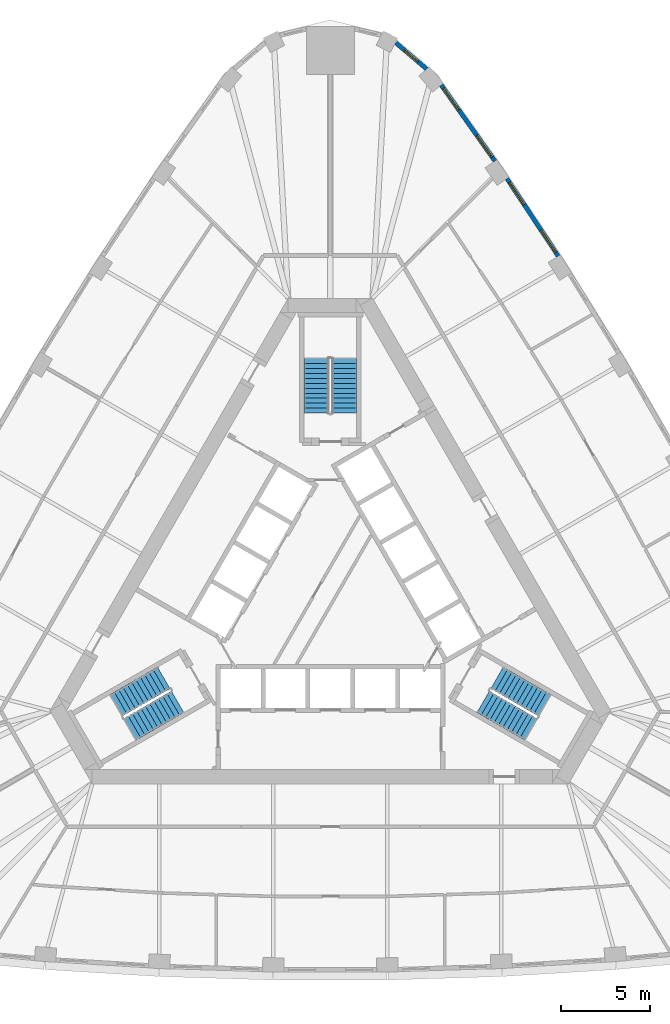
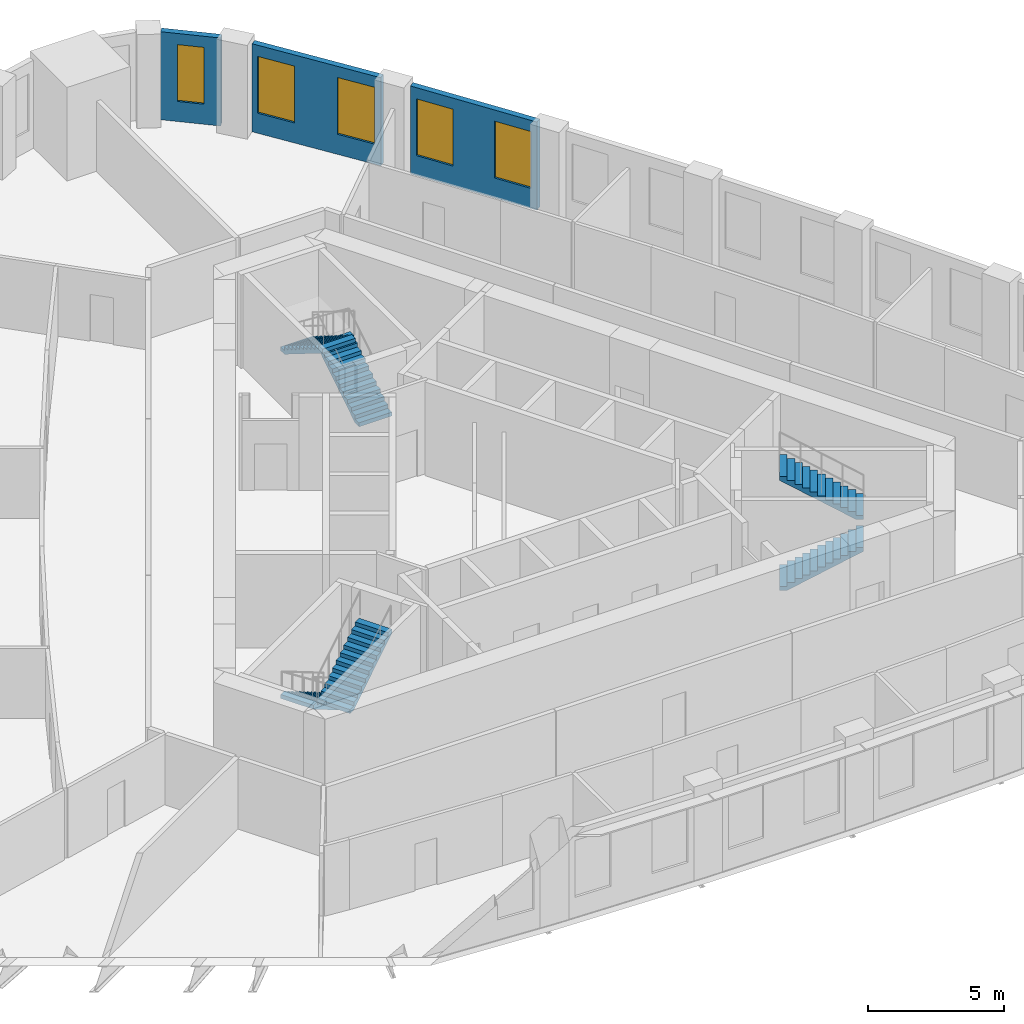
# One storey, part 9 of 10: 6 stair flights, 5 windows, 3 walls, 5 openings, 3 elements without a shape of their own.
"""IFC4 building model written with IfcOpenShell, lengths in metres."""

from ifc_helpers import new_model, si_unit, direction, frame, frame_2d, origin, place, context, subcontext, project, spatial, polyline, rectangle, outline, extrude, material, layer, layer_set, type_object, element, fill, aggregate, save


model = new_model("IFC4")

# Units and contexts
model_context = context("Model", 3, precision=1e-05, world=origin(), true_north=direction((0.0, 1.0)))
body_context = subcontext(model_context, "Body", "Model", "MODEL_VIEW")
ifc_project = project(units=[si_unit("LENGTHUNIT", "METRE"), si_unit("AREAUNIT", "SQUARE_METRE"), si_unit("VOLUMEUNIT", "CUBIC_METRE"), si_unit("PLANEANGLEUNIT", "RADIAN"), si_unit("MASSUNIT", "GRAM", prefix="KILO")], contexts=[model_context])

# Site, building, storey
site_placement = place(None, origin())
site = spatial("IfcSite", under=ifc_project, at=site_placement, CompositionType="ELEMENT")
building_placement = place(site_placement, origin())
building = spatial("IfcBuilding", under=site, at=building_placement, Name="Mestral Congress Tower", CompositionType="ELEMENT")
storey_placement = place(building_placement, frame((0.0, 0.0, 141.60009765625)))
storey = spatial("IfcBuildingStorey", under=building, at=storey_placement, Name="L33", CompositionType="ELEMENT", Elevation=141.60009765625)

# Wall, openings, windows
ifc_material_1 = material(Name="Precast concrete C40/50 with limestone facing", Category="masonry")
ifc_layer = layer(ifc_material_1, 0.239990234375)
ifc_layer_set = layer_set([ifc_layer], Name="Precast concrete C40/50 with limestone facing")
wall_type = type_object("IfcWallType", Name="Facade stone wall 240", PredefinedType="SOLIDWALL", material=ifc_layer_set)
wall_1_placement = place(storey_placement, frame((12.783203125, 19.170654296875, 0.0), z_axis=(0.0, 0.0, 1.0), x_axis=(-0.551892811511, 0.833915058386, 0.0)))
wall_1 = element("IfcWall", 1, at=wall_1_placement, inside=storey, type_object=wall_type, Name="Facade wall F1-05", PredefinedType="SOLIDWALL", context=body_context, shape_type="SweptSolid", body=[
    extrude(rectangle(XDim=5.20361328125, YDim=0.239990234375, at=frame_2d((2.601806640625, 0.0))), origin(), (0.0, 0.0, 1.0), 3.949951171875),
])
opening_1_placement = place(wall_1_placement, frame((0.248291015625, 0.0, 0.89990234375)))
opening_1 = element("IfcOpeningElement", 2, at=opening_1_placement, cuts=wall_1, Name="Opening W4", PredefinedType="OPENING", context=body_context, shape_type="SweptSolid", body=[
    extrude(rectangle(XDim=1.5, YDim=2.550048828125, at=frame_2d((0.75, 1.27490234375))), frame((0.0, 0.1298828125, 0.0), z_axis=(0.0, -1.0, 0.0), x_axis=(1.0, 0.0, 0.0)), (0.0, 0.0, 1.0), 0.260009765625),
])
opening_2_placement = place(wall_1_placement, frame((3.455078125, 0.0, 0.89990234375)))
opening_2 = element("IfcOpeningElement", 3, at=opening_2_placement, cuts=wall_1, Name="Opening W4", PredefinedType="OPENING", context=body_context, shape_type="SweptSolid", body=[
    extrude(rectangle(XDim=1.5, YDim=2.550048828125, at=frame_2d((0.75, 1.27490234375))), frame((0.0, 0.1298828125, 0.0), z_axis=(0.0, -1.0, 0.0), x_axis=(1.0, 0.0, 0.0)), (0.0, 0.0, 1.0), 0.260009765625),
])
ifc_material_2 = material(Name="Clear low-emissivity double glazing", Category="glass")
window_type_1 = type_object("IfcWindowType", Name="Facade punched window 1500 x 2550 sill 900", PartitioningType="SINGLE_PANEL", PredefinedType="WINDOW", material=ifc_material_2)
window_1_placement = place(opening_1_placement, origin())
window_1 = element("IfcWindow", 4, at=window_1_placement, inside=storey, type_object=window_type_1, Name="Window F1-05a", OverallHeight=2.550048828125, OverallWidth=1.5, PartitioningType="SINGLE_PANEL", PredefinedType="WINDOW", context=body_context, shape_type="SweptSolid", body=[
    extrude(rectangle(XDim=1.5, YDim=2.550048828125, at=frame_2d((0.75, 1.27490234375))), frame((0.0, 0.0400390625, 0.0), z_axis=(0.0, -1.0, 0.0), x_axis=(1.0, 0.0, 0.0)), (0.0, 0.0, 1.0), 0.06005859375),
])
fill(opening_1, window_1)
window_2_placement = place(opening_2_placement, origin())
window_2 = element("IfcWindow", 5, at=window_2_placement, inside=storey, type_object=window_type_1, Name="Window F1-05b", OverallHeight=2.550048828125, OverallWidth=1.5, PartitioningType="SINGLE_PANEL", PredefinedType="WINDOW", context=body_context, shape_type="SweptSolid", body=[
    extrude(rectangle(XDim=1.5, YDim=2.550048828125, at=frame_2d((0.75, 1.27490234375))), frame((0.0, 0.0400390625, 0.0), z_axis=(0.0, -1.0, 0.0), x_axis=(1.0, 0.0, 0.0)), (0.0, 0.0, 1.0), 0.06005859375),
])
fill(opening_2, window_2)

wall_2_placement = place(storey_placement, frame((9.231201171875, 24.50439453125, 0.0), z_axis=(0.0, 0.0, 1.0), x_axis=(-0.577115207679, 0.816662743772, 0.0)))
wall_2 = element("IfcWall", 6, at=wall_2_placement, inside=storey, type_object=wall_type, Name="Facade wall F1-06", PredefinedType="SOLIDWALL", context=body_context, shape_type="SweptSolid", body=[
    extrude(rectangle(XDim=5.213134765625, YDim=0.239990234375, at=frame_2d((2.6064453125, 0.0))), origin(), (0.0, 0.0, 1.0), 3.949951171875),
])
opening_3_placement = place(wall_2_placement, frame((0.2607421875, 0.0, 0.89990234375)))
opening_3 = element("IfcOpeningElement", 7, at=opening_3_placement, cuts=wall_2, Name="Opening W4", PredefinedType="OPENING", context=body_context, shape_type="SweptSolid", body=[
    extrude(rectangle(XDim=1.5, YDim=2.550048828125, at=frame_2d((0.75, 1.27490234375))), frame((0.0, 0.1298828125, 0.0), z_axis=(0.0, -1.0, 0.0), x_axis=(1.0, 0.0, 0.0)), (0.0, 0.0, 1.0), 0.260009765625),
])
opening_4_placement = place(wall_2_placement, frame((3.492431640625, 0.0, 0.89990234375)))
opening_4 = element("IfcOpeningElement", 8, at=opening_4_placement, cuts=wall_2, Name="Opening W4", PredefinedType="OPENING", context=body_context, shape_type="SweptSolid", body=[
    extrude(rectangle(XDim=1.5, YDim=2.550048828125, at=frame_2d((0.75, 1.27490234375))), frame((0.0, 0.1298828125, 0.0), z_axis=(0.0, -1.0, 0.0), x_axis=(1.0, 0.0, 0.0)), (0.0, 0.0, 1.0), 0.260009765625),
])
window_3_placement = place(opening_3_placement, origin())
window_3 = element("IfcWindow", 9, at=window_3_placement, inside=storey, type_object=window_type_1, Name="Window F1-06a", OverallHeight=2.550048828125, OverallWidth=1.5, PartitioningType="SINGLE_PANEL", PredefinedType="WINDOW", context=body_context, shape_type="SweptSolid", body=[
    extrude(rectangle(XDim=1.5, YDim=2.550048828125, at=frame_2d((0.75, 1.27490234375))), frame((0.0, 0.0400390625, 0.0), z_axis=(0.0, -1.0, 0.0), x_axis=(1.0, 0.0, 0.0)), (0.0, 0.0, 1.0), 0.06005859375),
])
fill(opening_3, window_3)
window_4_placement = place(opening_4_placement, origin())
window_4 = element("IfcWindow", 10, at=window_4_placement, inside=storey, type_object=window_type_1, Name="Window F1-06b", OverallHeight=2.550048828125, OverallWidth=1.5, PartitioningType="SINGLE_PANEL", PredefinedType="WINDOW", context=body_context, shape_type="SweptSolid", body=[
    extrude(rectangle(XDim=1.5, YDim=2.550048828125, at=frame_2d((0.75, 1.27490234375))), frame((0.0, 0.0400390625, 0.0), z_axis=(0.0, -1.0, 0.0), x_axis=(1.0, 0.0, 0.0)), (0.0, 0.0, 1.0), 0.06005859375),
])
fill(opening_4, window_4)

# Wall, opening, window
wall_3_placement = place(storey_placement, frame((5.3916015625, 29.672119140625, 0.0), z_axis=(0.0, 0.0, 1.0), x_axis=(-0.761419744247, 0.648259186645, 0.0)))
wall_3 = element("IfcWall", 11, at=wall_3_placement, inside=storey, type_object=wall_type, Name="Facade wall K1-0", PredefinedType="SOLIDWALL", context=body_context, shape_type="SweptSolid", body=[
    extrude(rectangle(XDim=2.250244140625, YDim=0.239990234375, at=frame_2d((1.125, 0.0))), origin(), (0.0, 0.0, 1.0), 3.949951171875),
])
opening_5_placement = place(wall_3_placement, frame((0.625244140625, 0.0, 0.89990234375)))
opening_5 = element("IfcOpeningElement", 12, at=opening_5_placement, cuts=wall_3, Name="Opening W5", PredefinedType="OPENING", context=body_context, shape_type="SweptSolid", body=[
    extrude(rectangle(XDim=1.0, YDim=2.550048828125, at=frame_2d((0.5, 1.27490234375))), frame((0.0, 0.1298828125, 0.0), z_axis=(0.0, -1.0, 0.0), x_axis=(1.0, 0.0, 0.0)), (0.0, 0.0, 1.0), 0.260009765625),
])
window_type_2 = type_object("IfcWindowType", Name="Facade punched window 1000 x 2550 sill 900", PartitioningType="SINGLE_PANEL", PredefinedType="WINDOW", material=ifc_material_2)
window_5_placement = place(opening_5_placement, origin())
window_5 = element("IfcWindow", 13, at=window_5_placement, inside=storey, type_object=window_type_2, Name="Window K1-0", OverallHeight=2.550048828125, OverallWidth=1.0, PartitioningType="SINGLE_PANEL", PredefinedType="WINDOW", context=body_context, shape_type="SweptSolid", body=[
    extrude(rectangle(XDim=1.0, YDim=2.550048828125, at=frame_2d((0.5, 1.27490234375))), frame((0.0, 0.0400390625, 0.0), z_axis=(0.0, -1.0, 0.0), x_axis=(1.0, 0.0, 0.0)), (0.0, 0.0, 1.0), 0.06005859375),
])
fill(opening_5, window_5)

# Stair, stair flights
ifc_material_3 = material(Name="Concrete C60/75", Category="concrete")
stair_type = type_object("IfcStairType", Name="Exit stair 1400", PredefinedType="HALF_TURN_STAIR", material=ifc_material_3)
placement = place(storey_placement, origin())
stair_1 = element("IfcStair", 14, at=placement, inside=storey, type_object=stair_type, Name="L33 ST1", PredefinedType="HALF_TURN_STAIR")
stair_flight_type = type_object("IfcStairFlightType", Name="Exit stair flight 1400", PredefinedType="STRAIGHT", material=ifc_material_3)
stair_flight_1_placement = place(storey_placement, frame((8.575927734375, -5.84619140625, 0.0), z_axis=(0.0, 0.0, 1.0), x_axis=(0.866025403784, -0.5, 0.0)))
stair_flight_1 = element("IfcStairFlight", 15, at=stair_flight_1_placement, type_object=stair_flight_type, Name="ST1 flight 1", NumberOfRisers=12, NumberOfTreads=11, PredefinedType="STRAIGHT", RiserHeight=0.175, TreadLength=0.28, context=body_context, shape_type="SweptSolid", body=[
    extrude(outline(polyline([(0.0, 0.0), (0.0, 0.175048828125), (0.280029296875, 0.175048828125), (0.280029296875, 0.35009765625), (0.56005859375, 0.35009765625), (0.56005859375, 0.52490234375), (0.840087890625, 0.52490234375), (0.840087890625, 0.699951171875), (1.1201171875, 0.699951171875), (1.1201171875, 0.875), (1.39990234375, 0.875), (1.39990234375, 1.050048828125), (1.679931640625, 1.050048828125), (1.679931640625, 1.22509765625), (1.9599609375, 1.22509765625), (1.9599609375, 1.39990234375), (2.239990234375, 1.39990234375), (2.239990234375, 1.574951171875), (2.52001953125, 1.574951171875), (2.52001953125, 1.75), (2.800048828125, 1.75), (2.800048828125, 1.925048828125), (3.080078125, 1.925048828125), (3.080078125, 2.10009765625), (3.080078125, 1.748291015625), (0.28271484375, 0.0), (0.0, 0.0)])), frame((0.0, 0.699951171875, 0.0), z_axis=(0.0, -1.0, 0.0), x_axis=(1.0, 0.0, 0.0)), (0.0, 0.0, 1.0), 1.39990234375),
])
stair_flight_2_placement = place(storey_placement, frame((12.018310546875, -6.0439453125, 2.099853515625), z_axis=(0.0, 0.0, 1.0), x_axis=(-0.866025403784, 0.5, 0.0)))
stair_flight_2 = element("IfcStairFlight", 16, at=stair_flight_2_placement, type_object=stair_flight_type, Name="ST1 flight 2", NumberOfRisers=12, NumberOfTreads=11, PredefinedType="STRAIGHT", RiserHeight=0.175, TreadLength=0.28, context=body_context, shape_type="SweptSolid", body=[
    extrude(outline(polyline([(0.0, 0.0), (0.0, 0.175048828125), (0.280029296875, 0.175048828125), (0.280029296875, 0.35009765625), (0.56005859375, 0.35009765625), (0.56005859375, 0.52490234375), (0.840087890625, 0.52490234375), (0.840087890625, 0.699951171875), (1.1201171875, 0.699951171875), (1.1201171875, 0.875), (1.39990234375, 0.875), (1.39990234375, 1.050048828125), (1.679931640625, 1.050048828125), (1.679931640625, 1.22509765625), (1.9599609375, 1.22509765625), (1.9599609375, 1.39990234375), (2.239990234375, 1.39990234375), (2.239990234375, 1.574951171875), (2.52001953125, 1.574951171875), (2.52001953125, 1.75), (2.800048828125, 1.75), (2.800048828125, 1.925048828125), (3.080078125, 1.925048828125), (3.080078125, 2.10009765625), (3.080078125, 1.748291015625), (0.28271484375, 0.0), (0.0, 0.0)])), frame((0.0, 0.699951171875, 0.0), z_axis=(0.0, -1.0, 0.0), x_axis=(1.0, 0.0, 0.0)), (0.0, 0.0, 1.0), 1.39990234375),
])
aggregate(stair_1, [stair_flight_1, stair_flight_2])

stair_2 = element("IfcStair", 17, at=placement, inside=storey, type_object=stair_type, Name="L33 ST2", PredefinedType="HALF_TURN_STAIR")
stair_flight_3_placement = place(storey_placement, frame((0.77490234375, 10.35009765625, 0.0), z_axis=(0.0, 0.0, 1.0), x_axis=(0.0, 1.0, 0.0)))
stair_flight_3 = element("IfcStairFlight", 18, at=stair_flight_3_placement, type_object=stair_flight_type, Name="ST2 flight 1", NumberOfRisers=12, NumberOfTreads=11, PredefinedType="STRAIGHT", RiserHeight=0.175, TreadLength=0.28, context=body_context, shape_type="SweptSolid", body=[
    extrude(outline(polyline([(0.0, 0.0), (0.0, 0.175048828125), (0.280029296875, 0.175048828125), (0.280029296875, 0.35009765625), (0.56005859375, 0.35009765625), (0.56005859375, 0.52490234375), (0.840087890625, 0.52490234375), (0.840087890625, 0.699951171875), (1.1201171875, 0.699951171875), (1.1201171875, 0.875), (1.39990234375, 0.875), (1.39990234375, 1.050048828125), (1.679931640625, 1.050048828125), (1.679931640625, 1.22509765625), (1.9599609375, 1.22509765625), (1.9599609375, 1.39990234375), (2.239990234375, 1.39990234375), (2.239990234375, 1.574951171875), (2.52001953125, 1.574951171875), (2.52001953125, 1.75), (2.800048828125, 1.75), (2.800048828125, 1.925048828125), (3.080078125, 1.925048828125), (3.080078125, 2.10009765625), (3.080078125, 1.748291015625), (0.28271484375, 0.0), (0.0, 0.0)])), frame((0.0, 0.699951171875, 0.0), z_axis=(0.0, -1.0, 0.0), x_axis=(1.0, 0.0, 0.0)), (0.0, 0.0, 1.0), 1.39990234375),
])
stair_flight_4_placement = place(storey_placement, frame((-0.77490234375, 13.429931640625, 2.099853515625), z_axis=(0.0, 0.0, 1.0), x_axis=(0.0, -1.0, 0.0)))
stair_flight_4 = element("IfcStairFlight", 19, at=stair_flight_4_placement, type_object=stair_flight_type, Name="ST2 flight 2", NumberOfRisers=12, NumberOfTreads=11, PredefinedType="STRAIGHT", RiserHeight=0.175, TreadLength=0.28, context=body_context, shape_type="SweptSolid", body=[
    extrude(outline(polyline([(0.0, 0.0), (0.0, 0.175048828125), (0.280029296875, 0.175048828125), (0.280029296875, 0.35009765625), (0.56005859375, 0.35009765625), (0.56005859375, 0.52490234375), (0.840087890625, 0.52490234375), (0.840087890625, 0.699951171875), (1.1201171875, 0.699951171875), (1.1201171875, 0.875), (1.39990234375, 0.875), (1.39990234375, 1.050048828125), (1.679931640625, 1.050048828125), (1.679931640625, 1.22509765625), (1.9599609375, 1.22509765625), (1.9599609375, 1.39990234375), (2.239990234375, 1.39990234375), (2.239990234375, 1.574951171875), (2.52001953125, 1.574951171875), (2.52001953125, 1.75), (2.800048828125, 1.75), (2.800048828125, 1.925048828125), (3.080078125, 1.925048828125), (3.080078125, 2.10009765625), (3.080078125, 1.748291015625), (0.28271484375, 0.0), (0.0, 0.0)])), frame((0.0, 0.699951171875, 0.0), z_axis=(0.0, -1.0, 0.0), x_axis=(1.0, 0.0, 0.0)), (0.0, 0.0, 1.0), 1.39990234375),
])
aggregate(stair_2, [stair_flight_3, stair_flight_4])

stair_3 = element("IfcStair", 20, at=placement, inside=storey, type_object=stair_type, Name="L33 ST3", PredefinedType="HALF_TURN_STAIR")
stair_flight_5_placement = place(storey_placement, frame((-9.350830078125, -4.50390625, 0.0), z_axis=(0.0, 0.0, 1.0), x_axis=(-0.866025403784, -0.5, 0.0)))
stair_flight_5 = element("IfcStairFlight", 21, at=stair_flight_5_placement, type_object=stair_flight_type, Name="ST3 flight 1", NumberOfRisers=12, NumberOfTreads=11, PredefinedType="STRAIGHT", RiserHeight=0.175, TreadLength=0.28, context=body_context, shape_type="SweptSolid", body=[
    extrude(outline(polyline([(0.0, 0.0), (0.0, 0.175048828125), (0.280029296875, 0.175048828125), (0.280029296875, 0.35009765625), (0.56005859375, 0.35009765625), (0.56005859375, 0.52490234375), (0.840087890625, 0.52490234375), (0.840087890625, 0.699951171875), (1.1201171875, 0.699951171875), (1.1201171875, 0.875), (1.39990234375, 0.875), (1.39990234375, 1.050048828125), (1.679931640625, 1.050048828125), (1.679931640625, 1.22509765625), (1.9599609375, 1.22509765625), (1.9599609375, 1.39990234375), (2.239990234375, 1.39990234375), (2.239990234375, 1.574951171875), (2.52001953125, 1.574951171875), (2.52001953125, 1.75), (2.800048828125, 1.75), (2.800048828125, 1.925048828125), (3.080078125, 1.925048828125), (3.080078125, 2.10009765625), (3.080078125, 1.748291015625), (0.28271484375, 0.0), (0.0, 0.0)])), frame((0.0, 0.699951171875, 0.0), z_axis=(0.0, -1.0, 0.0), x_axis=(1.0, 0.0, 0.0)), (0.0, 0.0, 1.0), 1.39990234375),
])
stair_flight_6_placement = place(storey_placement, frame((-11.2431640625, -7.38623046875, 2.099853515625), z_axis=(0.0, 0.0, 1.0), x_axis=(0.866025403784, 0.5, 0.0)))
stair_flight_6 = element("IfcStairFlight", 22, at=stair_flight_6_placement, type_object=stair_flight_type, Name="ST3 flight 2", NumberOfRisers=12, NumberOfTreads=11, PredefinedType="STRAIGHT", RiserHeight=0.175, TreadLength=0.28, context=body_context, shape_type="SweptSolid", body=[
    extrude(outline(polyline([(0.0, 0.0), (0.0, 0.175048828125), (0.280029296875, 0.175048828125), (0.280029296875, 0.35009765625), (0.56005859375, 0.35009765625), (0.56005859375, 0.52490234375), (0.840087890625, 0.52490234375), (0.840087890625, 0.699951171875), (1.1201171875, 0.699951171875), (1.1201171875, 0.875), (1.39990234375, 0.875), (1.39990234375, 1.050048828125), (1.679931640625, 1.050048828125), (1.679931640625, 1.22509765625), (1.9599609375, 1.22509765625), (1.9599609375, 1.39990234375), (2.239990234375, 1.39990234375), (2.239990234375, 1.574951171875), (2.52001953125, 1.574951171875), (2.52001953125, 1.75), (2.800048828125, 1.75), (2.800048828125, 1.925048828125), (3.080078125, 1.925048828125), (3.080078125, 2.10009765625), (3.080078125, 1.748291015625), (0.28271484375, 0.0), (0.0, 0.0)])), frame((0.0, 0.699951171875, 0.0), z_axis=(0.0, -1.0, 0.0), x_axis=(1.0, 0.0, 0.0)), (0.0, 0.0, 1.0), 1.39990234375),
])
aggregate(stair_3, [stair_flight_5, stair_flight_6])

save(model, "model.ifc")
